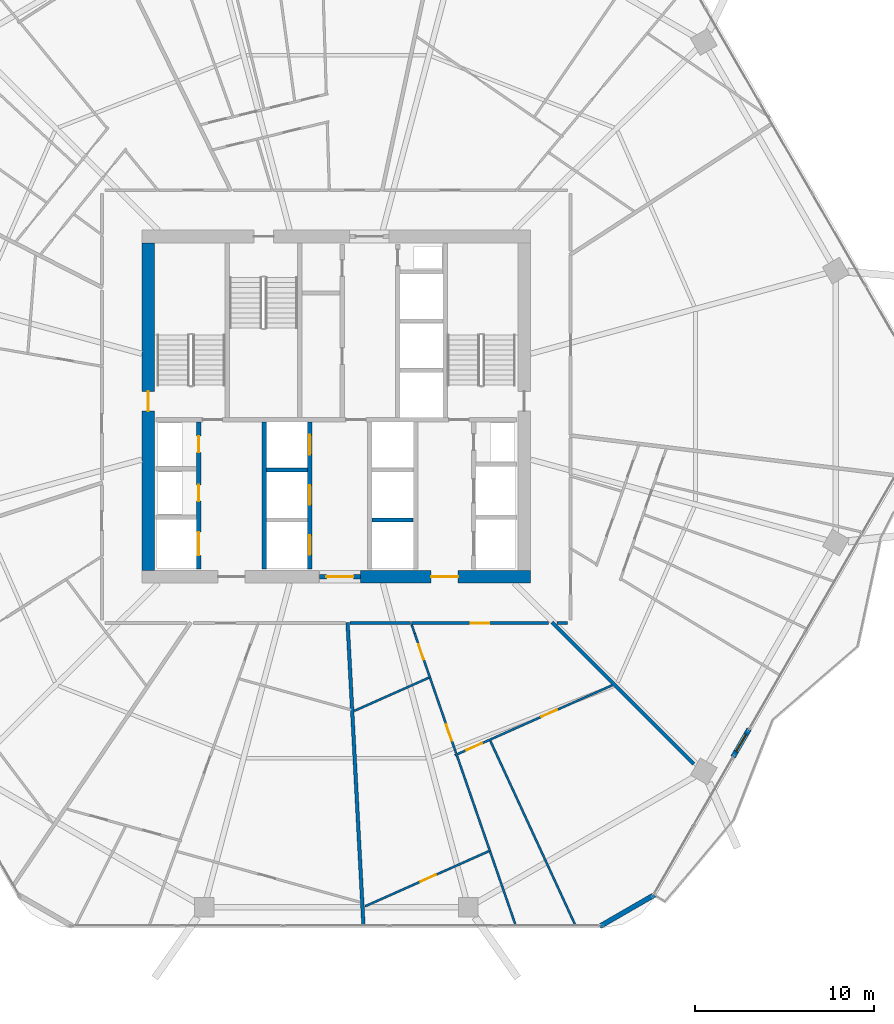
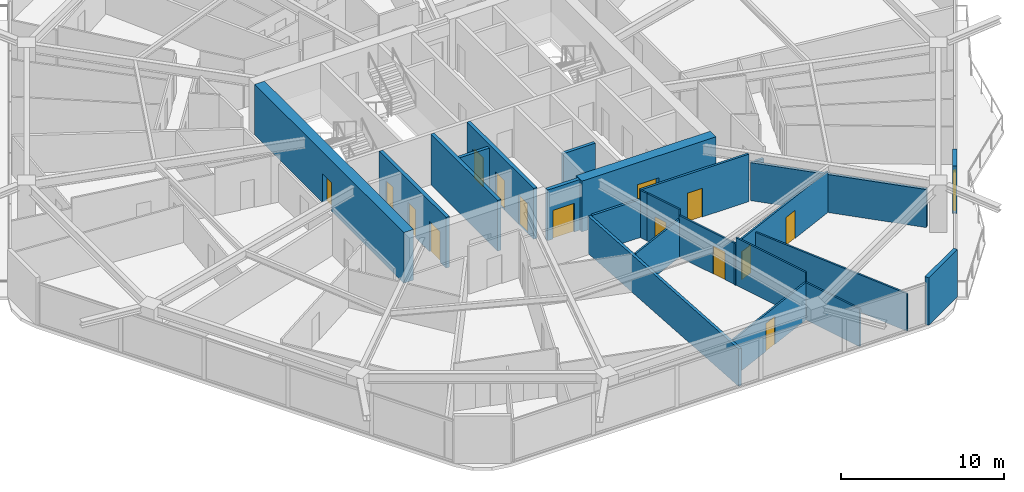
# One storey, part 24 of 32: 24 walls, 16 doors, 16 openings.
"""IFC4 building model written with IfcOpenShell, lengths in metres."""

from ifc_helpers import new_model, si_unit, direction, frame, frame_2d, origin, place, context, subcontext, project, spatial, rectangle, extrude, material, layer, layer_set, type_object, element, fill, save


model = new_model("IFC4")

# Units and contexts
model_context = context("Model", 3, precision=1e-05, world=origin(), true_north=direction((0.0, 1.0)))
body_context = subcontext(model_context, "Body", "Model", "MODEL_VIEW")
ifc_project = project(units=[si_unit("LENGTHUNIT", "METRE"), si_unit("AREAUNIT", "SQUARE_METRE"), si_unit("VOLUMEUNIT", "CUBIC_METRE"), si_unit("PLANEANGLEUNIT", "RADIAN"), si_unit("MASSUNIT", "GRAM", prefix="KILO")], contexts=[model_context])

# Site, building, storey
site_placement = place(None, origin())
site = spatial("IfcSite", under=ifc_project, at=site_placement, CompositionType="ELEMENT")
building_placement = place(site_placement, origin())
building = spatial("IfcBuilding", under=site, at=building_placement, Name="Zuhravey Tower", CompositionType="ELEMENT")
storey_placement = place(building_placement, frame((0.0, 0.0, 119.0)))
storey = spatial("IfcBuildingStorey", under=building, at=storey_placement, Name="L29", CompositionType="ELEMENT", Elevation=119.0)

# Wall, opening, door
ifc_material_1 = material(Name="Concrete C60/75", Category="concrete")
ifc_layer_1 = layer(ifc_material_1, 0.699951171875)
ifc_layer_set_1 = layer_set([ifc_layer_1], Name="Concrete C60/75")
wall_type_1 = type_object("IfcWallType", Name="Core Shear Wall 700", PredefinedType="SHEAR", material=ifc_layer_set_1)
wall_1_placement = place(storey_placement, frame((37.35009765625, 22.5, 0.0), z_axis=(0.0, 0.0, 1.0), x_axis=(1.0, 0.0, 0.0)))
wall_1 = element("IfcWall", 1, at=wall_1_placement, inside=storey, type_object=wall_type_1, Name="L29 South-East Core Shear Wall CW70", PredefinedType="SHEAR", context=body_context, shape_type="SweptSolid", body=[
    extrude(rectangle(XDim=9.5, YDim=0.699951171875, at=frame_2d((4.75, 0.0))), origin(), (0.0, 0.0, 1.0), 3.800048828125),
])
opening_1_placement = place(wall_1_placement, frame((3.949951171875, 0.0, 0.0)))
opening_1 = element("IfcOpeningElement", 2, at=opening_1_placement, cuts=wall_1, Name="Opening FFD1", PredefinedType="OPENING", context=body_context, shape_type="SweptSolid", body=[
    extrude(rectangle(XDim=1.5, YDim=2.14990234375, at=frame_2d((0.75, 1.074951171875))), frame((0.0, 0.362060546875, 0.0), z_axis=(0.0, -1.0, 0.0), x_axis=(1.0, 0.0, 0.0)), (0.0, 0.0, 1.0), 0.723876953125),
])
ifc_material_2 = material(Name="Galvanised fire-rated steel leaf", Category="steel")
door_type_1 = type_object("IfcDoorType", Name="Firefighting Lobby Double Door 1500x2150", OperationType="DOUBLE_DOOR_SINGLE_SWING", PredefinedType="DOOR", material=ifc_material_2)
door_1_placement = place(opening_1_placement, origin())
door_1 = element("IfcDoor", 3, at=door_1_placement, inside=storey, type_object=door_type_1, Name="L29 Firefighting Lobby East Door", OperationType="DOUBLE_DOOR_SINGLE_SWING", OverallHeight=2.14990234375, OverallWidth=1.5, PredefinedType="DOOR", context=body_context, shape_type="SweptSolid", body=[
    extrude(rectangle(XDim=1.5, YDim=2.14990234375, at=frame_2d((0.75, 1.074951171875))), frame((0.0, 0.02490234375, 0.0), z_axis=(0.0, -1.0, 0.0), x_axis=(1.0, 0.0, 0.0)), (0.0, 0.0, 1.0), 0.050048828125),
])
fill(opening_1, door_1)

wall_2_placement = place(storey_placement, frame((25.5, 22.85009765625, 0.0), z_axis=(0.0, 0.0, 1.0), x_axis=(0.0, 1.0, 0.0)))
wall_2 = element("IfcWall", 4, at=wall_2_placement, inside=storey, type_object=wall_type_1, Name="L29 West Core Shear Wall CW70", PredefinedType="SHEAR", context=body_context, shape_type="SweptSolid", body=[
    extrude(rectangle(XDim=18.2998046875, YDim=0.699951171875, at=frame_2d((9.14990234375, 0.0))), origin(), (0.0, 0.0, 1.0), 3.800048828125),
])
opening_2_placement = place(wall_2_placement, frame((8.89990234375, 0.0, 0.0)))
opening_2 = element("IfcOpeningElement", 5, at=opening_2_placement, cuts=wall_2, Name="Opening STD1", PredefinedType="OPENING", context=body_context, shape_type="SweptSolid", body=[
    extrude(rectangle(XDim=1.10009765625, YDim=2.14990234375, at=frame_2d((0.550048828125, 1.074951171875))), frame((0.0, 0.362060546875, 0.0), z_axis=(0.0, -1.0, 0.0), x_axis=(1.0, 0.0, 0.0)), (0.0, 0.0, 1.0), 0.723876953125),
])
door_type_2 = type_object("IfcDoorType", Name="Protected Stair Fire Door 1100x2150", OperationType="NOTDEFINED", PredefinedType="USERDEFINED", material=ifc_material_2)
door_2_placement = place(opening_2_placement, frame((1.10009765625, 0.0, 0.0), z_axis=(0.0, 0.0, 1.0), x_axis=(-1.0, 0.0, 0.0)))
door_2 = element("IfcDoor", 6, at=door_2_placement, inside=storey, type_object=door_type_2, Name="L29 Stair ST1 Door", ObjectType="EXITDOOR", OperationType="SINGLE_SWING_LEFT", OverallHeight=2.14990234375, OverallWidth=1.10009765625, PredefinedType="USERDEFINED", context=body_context, shape_type="SweptSolid", body=[
    extrude(rectangle(XDim=1.10009765625, YDim=2.14990234375, at=frame_2d((0.550048828125, 1.074951171875))), frame((0.0, 0.02490234375, 0.0), z_axis=(0.0, -1.0, 0.0), x_axis=(1.0, 0.0, 0.0)), (0.0, 0.0, 1.0), 0.050048828125),
])
fill(opening_2, door_2)

ifc_material_3 = material(Name="Gypsum fire-rated stud partition")
ifc_layer_2 = layer(ifc_material_3, 0.159912109375)
ifc_layer_set_2 = layer_set([ifc_layer_2], Name="Gypsum fire-rated stud partition")
wall_type_2 = type_object("IfcWallType", Name="Corridor Fire Partition 160", PredefinedType="PARTITIONING", material=ifc_layer_set_2)
wall_3_placement = place(storey_placement, frame((40.199462890625, 19.919921875, 0.0), z_axis=(0.0, 0.0, 1.0), x_axis=(1.0, 0.0, 0.0)))
wall_3 = element("IfcWall", 7, at=wall_3_placement, inside=storey, type_object=wall_type_2, Name="L29 IW16 Partition 054", PredefinedType="PARTITIONING", context=body_context, shape_type="SweptSolid", body=[
    extrude(rectangle(XDim=7.6435546875, YDim=0.159912109375, at=frame_2d((3.82177734375, 0.0))), origin(), (0.0, 0.0, 1.0), 3.550048828125),
])
opening_3_placement = place(wall_3_placement, frame((3.296630859375, 0.0, 0.0)))
opening_3 = element("IfcOpeningElement", 8, at=opening_3_placement, cuts=wall_3, Name="Opening APD1", PredefinedType="OPENING", context=body_context, shape_type="SweptSolid", body=[
    extrude(rectangle(XDim=1.050048828125, YDim=2.14990234375, at=frame_2d((0.52490234375, 1.074951171875))), frame((0.0, 0.092041015625, 0.0), z_axis=(0.0, -1.0, 0.0), x_axis=(1.0, 0.0, 0.0)), (0.0, 0.0, 1.0), 0.183837890625),
])
ifc_material_4 = material(Name="Solid-core oak fire-rated leaf")
door_type_3 = type_object("IfcDoorType", Name="Apartment Entrance Fire Door 1050x2150", OperationType="NOTDEFINED", PredefinedType="DOOR", material=ifc_material_4)
door_3_placement = place(opening_3_placement, frame((1.050048828125, 0.0, 0.0), z_axis=(0.0, 0.0, 1.0), x_axis=(-1.0, 0.0, 0.0)))
door_3 = element("IfcDoor", 9, at=door_3_placement, inside=storey, type_object=door_type_3, Name="L29 Door 054.1", OperationType="SINGLE_SWING_LEFT", OverallHeight=2.14990234375, OverallWidth=1.050048828125, PredefinedType="DOOR", context=body_context, shape_type="SweptSolid", body=[
    extrude(rectangle(XDim=1.050048828125, YDim=2.14990234375, at=frame_2d((0.52490234375, 1.074951171875))), frame((0.0, 0.02490234375, 0.0), z_axis=(0.0, -1.0, 0.0), x_axis=(1.0, 0.0, 0.0)), (0.0, 0.0, 1.0), 0.050048828125),
])
fill(opening_3, door_3)

# Walls
wall_4_placement = place(storey_placement, frame((36.7587890625, 19.919921875, 0.0), z_axis=(0.0, 0.0, 1.0), x_axis=(1.0, 0.0, 0.0)))
element("IfcWall", 10, at=wall_4_placement, inside=storey, type_object=wall_type_2, Name="L29 IW16 Partition 125", PredefinedType="PARTITIONING", context=body_context, shape_type="SweptSolid", body=[
    extrude(rectangle(XDim=3.3984375, YDim=0.159912109375, at=frame_2d((1.69921875, 0.0))), origin(), (0.0, 0.0, 1.0), 2.85009765625),
])
wall_5_placement = place(storey_placement, frame((48.3212890625, 19.919921875, 0.0), z_axis=(0.0, 0.0, 1.0), x_axis=(1.0, 0.0, 0.0)))
element("IfcWall", 11, at=wall_5_placement, inside=storey, type_object=wall_type_2, Name="L29 IW16 Partition 126", PredefinedType="PARTITIONING", context=body_context, shape_type="SweptSolid", body=[
    extrude(rectangle(XDim=0.578125, YDim=0.159912109375, at=frame_2d((0.2890625, 0.0))), origin(), (0.0, 0.0, 1.0), 2.85009765625),
])

# Wall, opening, door
ifc_material_5 = material(Name="Precast concrete C40/50", Category="concrete")
ifc_layer_3 = layer(ifc_material_5, 0.280029296875)
ifc_layer_set_3 = layer_set([ifc_layer_3], Name="Precast concrete C40/50")
wall_type_3 = type_object("IfcWallType", Name="Crown Architectural Wall 280", PredefinedType="SOLIDWALL", material=ifc_layer_set_3)
wall_6_placement = place(storey_placement, frame((59.04638671875, 14.00048828125, 0.0), z_axis=(0.0, 0.0, 1.0), x_axis=(-0.499982180423, -0.866035691677, 0.0)))
wall_6 = element("IfcWall", 12, at=wall_6_placement, inside=storey, type_object=wall_type_3, Name="L29 Face 6 Facade Pier EW28-1", PredefinedType="SOLIDWALL", context=body_context, shape_type="SweptSolid", body=[
    extrude(rectangle(XDim=1.7900390625, YDim=0.280029296875, at=frame_2d((0.89501953125, 0.0))), origin(), (0.0, 0.0, 1.0), 3.550048828125),
])
opening_4_placement = place(wall_6_placement, frame((0.344970703125, 0.0, 0.0)))
opening_4 = element("IfcOpeningElement", 13, at=opening_4_placement, cuts=wall_6, Name="Opening BLD1", PredefinedType="OPENING", context=body_context, shape_type="SweptSolid", body=[
    extrude(rectangle(XDim=1.10009765625, YDim=2.199951171875, at=frame_2d((0.550048828125, 1.10009765625))), frame((0.0, 0.152099609375, 0.0), z_axis=(0.0, -1.0, 0.0), x_axis=(1.0, 0.0, 0.0)), (0.0, 0.0, 1.0), 0.303955078125),
])
ifc_material_6 = material(Name="Thermally broken aluminium and low-E glass", Category="aluminium")
door_type_4 = type_object("IfcDoorType", Name="Balcony & Sky-Tray Glazed Door 1100x2200", OperationType="NOTDEFINED", PredefinedType="DOOR", material=ifc_material_6)
door_4_placement = place(opening_4_placement, frame((1.10009765625, 0.0, 0.0), z_axis=(0.0, 0.0, 1.0), x_axis=(-1.0, 0.0, 0.0)))
door_4 = element("IfcDoor", 14, at=door_4_placement, inside=storey, type_object=door_type_4, Name="L29 Face 6 Wave Balcony Door", OperationType="SINGLE_SWING_LEFT", OverallHeight=2.199951171875, OverallWidth=1.10009765625, PredefinedType="DOOR", context=body_context, shape_type="SweptSolid", body=[
    extrude(rectangle(XDim=1.10009765625, YDim=2.199951171875, at=frame_2d((0.550048828125, 1.10009765625))), frame((0.0, 0.02490234375, 0.0), z_axis=(0.0, -1.0, 0.0), x_axis=(1.0, 0.0, 0.0)), (0.0, 0.0, 1.0), 0.050048828125),
])
fill(opening_4, door_4)

# Wall
wall_7_placement = place(storey_placement, frame((53.76123046875, 4.75146484375, 0.0), z_axis=(0.0, 0.0, 1.0), x_axis=(-0.866007452331, -0.500031091541, 0.0)))
element("IfcWall", 15, at=wall_7_placement, inside=storey, type_object=wall_type_3, Name="L29 Rounded Corner Closure Wall EW28-02", PredefinedType="SOLIDWALL", context=body_context, shape_type="SweptSolid", body=[
    extrude(rectangle(XDim=3.514892578125, YDim=0.280029296875, at=frame_2d((1.75732421875, 0.0))), origin(), (0.0, 0.0, 1.0), 3.550048828125),
])

# Wall, opening, door
ifc_material_7 = material(Name="Concrete C50/60", Category="concrete")
ifc_layer_4 = layer(ifc_material_7, 0.25)
ifc_layer_set_4 = layer_set([ifc_layer_4], Name="Concrete C50/60")
wall_type_4 = type_object("IfcWallType", Name="Firefighting Shaft & Stair Wall 250", PredefinedType="SOLIDWALL", material=ifc_layer_set_4)
wall_8_placement = place(storey_placement, frame((35.06005859375, 22.5, 0.0), z_axis=(0.0, 0.0, 1.0), x_axis=(1.0, 0.0, 0.0)))
wall_8 = element("IfcWall", 16, at=wall_8_placement, inside=storey, type_object=wall_type_4, Name="L29 FW25 Shaft Wall 001", PredefinedType="SOLIDWALL", context=body_context, shape_type="SweptSolid", body=[
    extrude(rectangle(XDim=2.280029296875, YDim=0.25, at=frame_2d((1.14013671875, 0.0))), origin(), (0.0, 0.0, 1.0), 3.800048828125),
])
opening_5_placement = place(wall_8_placement, frame((0.389892578125, 0.0, 0.0)))
opening_5 = element("IfcOpeningElement", 17, at=opening_5_placement, cuts=wall_8, Name="Opening FFD1", PredefinedType="OPENING", context=body_context, shape_type="SweptSolid", body=[
    extrude(rectangle(XDim=1.5, YDim=2.14990234375, at=frame_2d((0.75, 1.074951171875))), frame((0.0, 0.136962890625, 0.0), z_axis=(0.0, -1.0, 0.0), x_axis=(1.0, 0.0, 0.0)), (0.0, 0.0, 1.0), 0.27392578125),
])
door_5_placement = place(opening_5_placement, frame((1.5, 0.0, 0.0), z_axis=(0.0, 0.0, 1.0), x_axis=(-1.0, 0.0, 0.0)))
door_5 = element("IfcDoor", 18, at=door_5_placement, inside=storey, type_object=door_type_1, Name="L29 South Lift Lobby Exit Door", OperationType="DOUBLE_DOOR_SINGLE_SWING", OverallHeight=2.14990234375, OverallWidth=1.5, PredefinedType="DOOR", context=body_context, shape_type="SweptSolid", body=[
    extrude(rectangle(XDim=1.5, YDim=2.14990234375, at=frame_2d((0.75, 1.074951171875))), frame((0.0, 0.02490234375, 0.0), z_axis=(0.0, -1.0, 0.0), x_axis=(1.0, 0.0, 0.0)), (0.0, 0.0, 1.0), 0.050048828125),
])
fill(opening_5, door_5)

# Wall, openings, doors
wall_9_placement = place(storey_placement, frame((28.324951171875, 22.949951171875, 0.0), z_axis=(0.0, 0.0, 1.0), x_axis=(0.0, 1.0, 0.0)))
wall_9 = element("IfcWall", 19, at=wall_9_placement, inside=storey, type_object=wall_type_4, Name="L29 FW25 Shaft Wall 011", PredefinedType="SOLIDWALL", context=body_context, shape_type="SweptSolid", body=[
    extrude(rectangle(XDim=8.199951171875, YDim=0.25, at=frame_2d((4.10009765625, 0.0))), origin(), (0.0, 0.0, 1.0), 3.800048828125),
])
opening_6_placement = place(wall_9_placement, frame((0.75, 0.0, 0.0)))
opening_6 = element("IfcOpeningElement", 20, at=opening_6_placement, cuts=wall_9, Name="Opening LD2", PredefinedType="OPENING", context=body_context, shape_type="SweptSolid", body=[
    extrude(rectangle(XDim=1.300048828125, YDim=2.300048828125, at=frame_2d((0.64990234375, 1.14990234375))), frame((0.0, 0.136962890625, 0.0), z_axis=(0.0, -1.0, 0.0), x_axis=(1.0, 0.0, 0.0)), (0.0, 0.0, 1.0), 0.27392578125),
])
opening_7_placement = place(wall_9_placement, frame((3.780029296875, 0.0, 0.0)))
opening_7 = element("IfcOpeningElement", 21, at=opening_7_placement, cuts=wall_9, Name="Opening RSD1", PredefinedType="OPENING", context=body_context, shape_type="SweptSolid", body=[
    extrude(rectangle(XDim=0.89990234375, YDim=2.10009765625, at=frame_2d((0.449951171875, 1.050048828125))), frame((0.0, 0.136962890625, 0.0), z_axis=(0.0, -1.0, 0.0), x_axis=(1.0, 0.0, 0.0)), (0.0, 0.0, 1.0), 0.27392578125),
])
opening_8_placement = place(wall_9_placement, frame((6.5, 0.0, 0.0)))
opening_8 = element("IfcOpeningElement", 22, at=opening_8_placement, cuts=wall_9, Name="Opening RSD1", PredefinedType="OPENING", context=body_context, shape_type="SweptSolid", body=[
    extrude(rectangle(XDim=0.89990234375, YDim=2.10009765625, at=frame_2d((0.449951171875, 1.050048828125))), frame((0.0, 0.136962890625, 0.0), z_axis=(0.0, -1.0, 0.0), x_axis=(1.0, 0.0, 0.0)), (0.0, 0.0, 1.0), 0.27392578125),
])
ifc_material_8 = material(Name="Brushed stainless steel", Category="steel")
door_type_5 = type_object("IfcDoorType", Name="Freight & Stretcher Lift Sliding Door 1300x2300", OperationType="DOUBLE_DOOR_SLIDING", PredefinedType="DOOR", material=ifc_material_8)
door_6_placement = place(opening_6_placement, frame((1.300048828125, 0.0, 0.0), z_axis=(0.0, 0.0, 1.0), x_axis=(-1.0, 0.0, 0.0)))
door_6 = element("IfcDoor", 23, at=door_6_placement, inside=storey, type_object=door_type_5, Name="L29 Lift FF1 Landing Door", OperationType="DOUBLE_DOOR_SLIDING", OverallHeight=2.300048828125, OverallWidth=1.300048828125, PredefinedType="DOOR", context=body_context, shape_type="SweptSolid", body=[
    extrude(rectangle(XDim=1.300048828125, YDim=2.300048828125, at=frame_2d((0.64990234375, 1.14990234375))), frame((0.0, 0.02490234375, 0.0), z_axis=(0.0, -1.0, 0.0), x_axis=(1.0, 0.0, 0.0)), (0.0, 0.0, 1.0), 0.050048828125),
])
fill(opening_6, door_6)
ifc_material_9 = material(Name="Galvanised fire-rated steel access leaf", Category="steel")
door_type_6 = type_object("IfcDoorType", Name="Riser & Shaft Access Fire Door 900x2100", OperationType="NOTDEFINED", PredefinedType="DOOR", material=ifc_material_9)
door_7_placement = place(opening_7_placement, frame((0.89990234375, 0.0, 0.0), z_axis=(0.0, 0.0, 1.0), x_axis=(-1.0, 0.0, 0.0)))
door_7 = element("IfcDoor", 24, at=door_7_placement, inside=storey, type_object=door_type_6, Name="L29 Electrical Riser Door", OperationType="SINGLE_SWING_RIGHT", OverallHeight=2.10009765625, OverallWidth=0.89990234375, PredefinedType="DOOR", context=body_context, shape_type="SweptSolid", body=[
    extrude(rectangle(XDim=0.89990234375, YDim=2.10009765625, at=frame_2d((0.449951171875, 1.050048828125))), frame((0.0, 0.02490234375, 0.0), z_axis=(0.0, -1.0, 0.0), x_axis=(1.0, 0.0, 0.0)), (0.0, 0.0, 1.0), 0.050048828125),
])
fill(opening_7, door_7)
door_8_placement = place(opening_8_placement, frame((0.89990234375, 0.0, 0.0), z_axis=(0.0, 0.0, 1.0), x_axis=(-1.0, 0.0, 0.0)))
door_8 = element("IfcDoor", 25, at=door_8_placement, inside=storey, type_object=door_type_6, Name="L29 Smoke Shaft Access Door", OperationType="SINGLE_SWING_LEFT", OverallHeight=2.10009765625, OverallWidth=0.89990234375, PredefinedType="DOOR", context=body_context, shape_type="SweptSolid", body=[
    extrude(rectangle(XDim=0.89990234375, YDim=2.10009765625, at=frame_2d((0.449951171875, 1.050048828125))), frame((0.0, 0.02490234375, 0.0), z_axis=(0.0, -1.0, 0.0), x_axis=(1.0, 0.0, 0.0)), (0.0, 0.0, 1.0), 0.050048828125),
])
fill(opening_8, door_8)

# Wall
wall_10_placement = place(storey_placement, frame((31.97509765625, 22.949951171875, 0.0), z_axis=(0.0, 0.0, 1.0), x_axis=(0.0, 1.0, 0.0)))
element("IfcWall", 26, at=wall_10_placement, inside=storey, type_object=wall_type_4, Name="L29 FW25 Shaft Wall 012", PredefinedType="SOLIDWALL", context=body_context, shape_type="SweptSolid", body=[
    extrude(rectangle(XDim=8.199951171875, YDim=0.25, at=frame_2d((4.10009765625, 0.0))), origin(), (0.0, 0.0, 1.0), 3.800048828125),
])

# Wall, openings, doors
wall_11_placement = place(storey_placement, frame((34.52490234375, 22.949951171875, 0.0), z_axis=(0.0, 0.0, 1.0), x_axis=(0.0, 1.0, 0.0)))
wall_11 = element("IfcWall", 27, at=wall_11_placement, inside=storey, type_object=wall_type_4, Name="L29 FW25 Shaft Wall 013", PredefinedType="SOLIDWALL", context=body_context, shape_type="SweptSolid", body=[
    extrude(rectangle(XDim=8.199951171875, YDim=0.25, at=frame_2d((4.10009765625, 0.0))), origin(), (0.0, 0.0, 1.0), 3.800048828125),
])
opening_9_placement = place(wall_11_placement, frame((0.77490234375, 0.0, 0.0)))
opening_9 = element("IfcOpeningElement", 28, at=opening_9_placement, cuts=wall_11, Name="Opening LD1", PredefinedType="OPENING", context=body_context, shape_type="SweptSolid", body=[
    extrude(rectangle(XDim=1.10009765625, YDim=2.199951171875, at=frame_2d((0.550048828125, 1.10009765625))), frame((0.0, 0.136962890625, 0.0), z_axis=(0.0, -1.0, 0.0), x_axis=(1.0, 0.0, 0.0)), (0.0, 0.0, 1.0), 0.27392578125),
])
opening_10_placement = place(wall_11_placement, frame((3.574951171875, 0.0, 0.0)))
opening_10 = element("IfcOpeningElement", 29, at=opening_10_placement, cuts=wall_11, Name="Opening LD1", PredefinedType="OPENING", context=body_context, shape_type="SweptSolid", body=[
    extrude(rectangle(XDim=1.10009765625, YDim=2.199951171875, at=frame_2d((0.550048828125, 1.10009765625))), frame((0.0, 0.136962890625, 0.0), z_axis=(0.0, -1.0, 0.0), x_axis=(1.0, 0.0, 0.0)), (0.0, 0.0, 1.0), 0.27392578125),
])
opening_11_placement = place(wall_11_placement, frame((6.375, 0.0, 0.0)))
opening_11 = element("IfcOpeningElement", 30, at=opening_11_placement, cuts=wall_11, Name="Opening LD1", PredefinedType="OPENING", context=body_context, shape_type="SweptSolid", body=[
    extrude(rectangle(XDim=1.10009765625, YDim=2.199951171875, at=frame_2d((0.550048828125, 1.10009765625))), frame((0.0, 0.136962890625, 0.0), z_axis=(0.0, -1.0, 0.0), x_axis=(1.0, 0.0, 0.0)), (0.0, 0.0, 1.0), 0.27392578125),
])
door_type_7 = type_object("IfcDoorType", Name="Lift Landing Sliding Door 1100x2200", OperationType="DOUBLE_DOOR_SLIDING", PredefinedType="DOOR", material=ifc_material_8)
door_9_placement = place(opening_9_placement, frame((1.10009765625, 0.0, 0.0), z_axis=(0.0, 0.0, 1.0), x_axis=(-1.0, 0.0, 0.0)))
door_9 = element("IfcDoor", 31, at=door_9_placement, inside=storey, type_object=door_type_7, Name="L29 Lift PL1 Landing Door", OperationType="DOUBLE_DOOR_SLIDING", OverallHeight=2.199951171875, OverallWidth=1.10009765625, PredefinedType="DOOR", context=body_context, shape_type="SweptSolid", body=[
    extrude(rectangle(XDim=1.10009765625, YDim=2.199951171875, at=frame_2d((0.550048828125, 1.10009765625))), frame((0.0, 0.02490234375, 0.0), z_axis=(0.0, -1.0, 0.0), x_axis=(1.0, 0.0, 0.0)), (0.0, 0.0, 1.0), 0.050048828125),
])
fill(opening_9, door_9)
door_10_placement = place(opening_10_placement, frame((1.10009765625, 0.0, 0.0), z_axis=(0.0, 0.0, 1.0), x_axis=(-1.0, 0.0, 0.0)))
door_10 = element("IfcDoor", 32, at=door_10_placement, inside=storey, type_object=door_type_7, Name="L29 Lift PL2 Landing Door", OperationType="DOUBLE_DOOR_SLIDING", OverallHeight=2.199951171875, OverallWidth=1.10009765625, PredefinedType="DOOR", context=body_context, shape_type="SweptSolid", body=[
    extrude(rectangle(XDim=1.10009765625, YDim=2.199951171875, at=frame_2d((0.550048828125, 1.10009765625))), frame((0.0, 0.02490234375, 0.0), z_axis=(0.0, -1.0, 0.0), x_axis=(1.0, 0.0, 0.0)), (0.0, 0.0, 1.0), 0.050048828125),
])
fill(opening_10, door_10)
door_11_placement = place(opening_11_placement, frame((1.10009765625, 0.0, 0.0), z_axis=(0.0, 0.0, 1.0), x_axis=(-1.0, 0.0, 0.0)))
door_11 = element("IfcDoor", 33, at=door_11_placement, inside=storey, type_object=door_type_7, Name="L29 Lift PL3 Landing Door", OperationType="DOUBLE_DOOR_SLIDING", OverallHeight=2.199951171875, OverallWidth=1.10009765625, PredefinedType="DOOR", context=body_context, shape_type="SweptSolid", body=[
    extrude(rectangle(XDim=1.10009765625, YDim=2.199951171875, at=frame_2d((0.550048828125, 1.10009765625))), frame((0.0, 0.02490234375, 0.0), z_axis=(0.0, -1.0, 0.0), x_axis=(1.0, 0.0, 0.0)), (0.0, 0.0, 1.0), 0.050048828125),
])
fill(opening_11, door_11)

# Walls
ifc_material_10 = material(Name="Gypsum double-stud party assembly")
ifc_layer_5 = layer(ifc_material_10, 0.199951171875)
ifc_layer_set_5 = layer_set([ifc_layer_5], Name="Gypsum double-stud party assembly")
wall_type_5 = type_object("IfcWallType", Name="Inter-Tenancy Party Wall 200", PredefinedType="PARTITIONING", material=ifc_layer_set_5)
wall_12_placement = place(storey_placement, frame((36.631103515625, 19.9599609375, 0.0), z_axis=(0.0, 0.0, 1.0), x_axis=(0.052325116212, -0.998630102798, 0.0)))
element("IfcWall", 34, at=wall_12_placement, inside=storey, type_object=wall_type_5, Name="L29 IW20 Partition 101", PredefinedType="PARTITIONING", context=body_context, shape_type="SweptSolid", body=[
    extrude(rectangle(XDim=16.941650390625, YDim=0.199951171875, at=frame_2d((8.470703125, 0.0))), origin(), (0.0, 0.0, 1.0), 2.800048828125),
])
wall_13_placement = place(storey_placement, frame((48.0400390625, 19.9599609375, 0.0), z_axis=(0.0, 0.0, 1.0), x_axis=(0.707106781187, -0.707106781187, 0.0)))
element("IfcWall", 35, at=wall_13_placement, inside=storey, type_object=wall_type_5, Name="L29 IW20 Partition 106", PredefinedType="PARTITIONING", context=body_context, shape_type="SweptSolid", body=[
    extrude(rectangle(XDim=11.184814453125, YDim=0.199951171875, at=frame_2d((5.59228515625, 0.0))), origin(), (0.0, 0.0, 1.0), 2.85009765625),
])
ifc_material_11 = material(Name="Gypsum acoustic stud assembly")
ifc_layer_6 = layer(ifc_material_11, 0.219970703125)
ifc_layer_set_6 = layer_set([ifc_layer_6], Name="Gypsum acoustic stud assembly")
wall_type_6 = type_object("IfcWallType", Name="School Acoustic Compartment Wall 220", PredefinedType="PARTITIONING", material=ifc_layer_set_6)
wall_14_placement = place(storey_placement, frame((32.10791015625, 28.47509765625, 0.0), z_axis=(0.0, 0.0, 1.0), x_axis=(1.0, 0.0, 0.0)))
element("IfcWall", 36, at=wall_14_placement, inside=storey, type_object=wall_type_6, Name="L29 IW22 Partition 064", PredefinedType="PARTITIONING", context=body_context, shape_type="SweptSolid", body=[
    extrude(rectangle(XDim=2.2841796875, YDim=0.219970703125, at=frame_2d((1.14208984375, 0.0))), origin(), (0.0, 0.0, 1.0), 3.550048828125),
])
wall_15_placement = place(storey_placement, frame((38.008056640625, 25.675048828125, 0.0), z_axis=(0.0, 0.0, 1.0), x_axis=(1.0, 0.0, 0.0)))
element("IfcWall", 37, at=wall_15_placement, inside=storey, type_object=wall_type_6, Name="L29 IW22 Partition 065", PredefinedType="PARTITIONING", context=body_context, shape_type="SweptSolid", body=[
    extrude(rectangle(XDim=2.283935546875, YDim=0.219970703125, at=frame_2d((1.14208984375, 0.0))), origin(), (0.0, 0.0, 1.0), 3.550048828125),
])

# Wall, openings, doors
ifc_material_12 = material(Name="Gypsum metal-stud partition")
ifc_layer_7 = layer(ifc_material_12, 0.1201171875)
ifc_layer_set_7 = layer_set([ifc_layer_7], Name="Gypsum metal-stud partition")
wall_type_7 = type_object("IfcWallType", Name="Unit Internal Partition 120", PredefinedType="PARTITIONING", material=ifc_layer_set_7)
wall_16_placement = place(storey_placement, frame((42.625, 12.54052734375, 0.0), z_axis=(0.0, 0.0, 1.0), x_axis=(0.913542487884, 0.406743313198, 0.0)))
wall_16 = element("IfcWall", 38, at=wall_16_placement, inside=storey, type_object=wall_type_7, Name="L29 IW12 Partition 049", PredefinedType="PARTITIONING", context=body_context, shape_type="SweptSolid", body=[
    extrude(rectangle(XDim=9.62353515625, YDim=0.1201171875, at=frame_2d((4.811767578125, 0.0))), origin(), (0.0, 0.0, 1.0), 3.10009765625),
])
opening_12_placement = place(wall_16_placement, frame((0.710693359375, 0.0, 0.0)))
opening_12 = element("IfcOpeningElement", 39, at=opening_12_placement, cuts=wall_16, Name="Opening IND1", PredefinedType="OPENING", context=body_context, shape_type="SweptSolid", body=[
    extrude(rectangle(XDim=0.949951171875, YDim=2.10009765625, at=frame_2d((0.47509765625, 1.050048828125))), frame((0.0, 0.072021484375, 0.0), z_axis=(0.0, -1.0, 0.0), x_axis=(1.0, 0.0, 0.0)), (0.0, 0.0, 1.0), 0.14404296875),
])
opening_13_placement = place(wall_16_placement, frame((5.282470703125, 0.0, 0.0)))
opening_13 = element("IfcOpeningElement", 40, at=opening_13_placement, cuts=wall_16, Name="Opening IND1", PredefinedType="OPENING", context=body_context, shape_type="SweptSolid", body=[
    extrude(rectangle(XDim=0.949951171875, YDim=2.10009765625, at=frame_2d((0.47509765625, 1.050048828125))), frame((0.0, 0.072021484375, 0.0), z_axis=(0.0, -1.0, 0.0), x_axis=(1.0, 0.0, 0.0)), (0.0, 0.0, 1.0), 0.14404296875),
])
ifc_material_13 = material(Name="Painted engineered timber leaf", Category="wood")
door_type_8 = type_object("IfcDoorType", Name="Internal Room & Bedroom Door 950x2100", OperationType="NOTDEFINED", PredefinedType="DOOR", material=ifc_material_13)
door_12_placement = place(opening_12_placement, frame((0.949951171875, 0.0, 0.0), z_axis=(0.0, 0.0, 1.0), x_axis=(-1.0, 0.0, 0.0)))
door_12 = element("IfcDoor", 41, at=door_12_placement, inside=storey, type_object=door_type_8, Name="Apartment L29-07 Family Study Door", OperationType="SINGLE_SWING_RIGHT", OverallHeight=2.10009765625, OverallWidth=0.949951171875, PredefinedType="DOOR", context=body_context, shape_type="SweptSolid", body=[
    extrude(rectangle(XDim=0.949951171875, YDim=2.10009765625, at=frame_2d((0.47509765625, 1.050048828125))), frame((0.0, 0.02490234375, 0.0), z_axis=(0.0, -1.0, 0.0), x_axis=(1.0, 0.0, 0.0)), (0.0, 0.0, 1.0), 0.050048828125),
])
fill(opening_12, door_12)
door_13_placement = place(opening_13_placement, frame((0.949951171875, 0.0, 0.0), z_axis=(0.0, 0.0, 1.0), x_axis=(-1.0, 0.0, 0.0)))
door_13 = element("IfcDoor", 42, at=door_13_placement, inside=storey, type_object=door_type_8, Name="Apartment L29-07 Dining Room Door", OperationType="SINGLE_SWING_LEFT", OverallHeight=2.10009765625, OverallWidth=0.949951171875, PredefinedType="DOOR", context=body_context, shape_type="SweptSolid", body=[
    extrude(rectangle(XDim=0.949951171875, YDim=2.10009765625, at=frame_2d((0.47509765625, 1.050048828125))), frame((0.0, 0.02490234375, 0.0), z_axis=(0.0, -1.0, 0.0), x_axis=(1.0, 0.0, 0.0)), (0.0, 0.0, 1.0), 0.050048828125),
])
fill(opening_13, door_13)

# Wall, opening, door
wall_17_placement = place(storey_placement, frame((40.37548828125, 19.35009765625, 0.0), z_axis=(0.0, 0.0, 1.0), x_axis=(0.326851488324, -0.945075713676, 0.0)))
wall_17 = element("IfcWall", 43, at=wall_17_placement, inside=storey, type_object=wall_type_7, Name="L29 IW12 Partition 050", PredefinedType="PARTITIONING", context=body_context, shape_type="SweptSolid", body=[
    extrude(rectangle(XDim=2.621826171875, YDim=0.1201171875, at=frame_2d((1.31103515625, 0.0))), origin(), (0.0, 0.0, 1.0), 3.550048828125),
])
opening_14_placement = place(wall_17_placement, frame((0.651123046875, 0.0, 0.0)))
opening_14 = element("IfcOpeningElement", 44, at=opening_14_placement, cuts=wall_17, Name="Opening WCD1", PredefinedType="OPENING", context=body_context, shape_type="SweptSolid", body=[
    extrude(rectangle(XDim=0.89990234375, YDim=2.10009765625, at=frame_2d((0.449951171875, 1.050048828125))), frame((0.0, 0.072021484375, 0.0), z_axis=(0.0, -1.0, 0.0), x_axis=(1.0, 0.0, 0.0)), (0.0, 0.0, 1.0), 0.14404296875),
])
ifc_material_14 = material(Name="Moisture-resistant timber leaf", Category="wood")
door_type_9 = type_object("IfcDoorType", Name="Bathroom & WC Internal Door 900x2100", OperationType="NOTDEFINED", PredefinedType="DOOR", material=ifc_material_14)
door_14_placement = place(opening_14_placement, frame((0.89990234375, 0.0, 0.0), z_axis=(0.0, 0.0, 1.0), x_axis=(-1.0, 0.0, 0.0)))
door_14 = element("IfcDoor", 45, at=door_14_placement, inside=storey, type_object=door_type_9, Name="Apartment L29-07 Bathroom Door", OperationType="SINGLE_SWING_RIGHT", OverallHeight=2.10009765625, OverallWidth=0.89990234375, PredefinedType="DOOR", context=body_context, shape_type="SweptSolid", body=[
    extrude(rectangle(XDim=0.89990234375, YDim=2.10009765625, at=frame_2d((0.449951171875, 1.050048828125))), frame((0.0, 0.02490234375, 0.0), z_axis=(0.0, -1.0, 0.0), x_axis=(1.0, 0.0, 0.0)), (0.0, 0.0, 1.0), 0.050048828125),
])
fill(opening_14, door_14)

wall_18_placement = place(storey_placement, frame((41.232666015625, 16.872314453125, 0.0), z_axis=(0.0, 0.0, 1.0), x_axis=(0.326853664791, -0.945074960949, 0.0)))
wall_18 = element("IfcWall", 46, at=wall_18_placement, inside=storey, type_object=wall_type_7, Name="L29 IW12 Partition 051", PredefinedType="PARTITIONING", context=body_context, shape_type="SweptSolid", body=[
    extrude(rectangle(XDim=4.471923828125, YDim=0.1201171875, at=frame_2d((2.23583984375, 0.0))), origin(), (0.0, 0.0, 1.0), 3.10009765625),
])
opening_15_placement = place(wall_18_placement, frame((2.77001953125, 0.0, 0.0)))
opening_15 = element("IfcOpeningElement", 47, at=opening_15_placement, cuts=wall_18, Name="Opening IND1", PredefinedType="OPENING", context=body_context, shape_type="SweptSolid", body=[
    extrude(rectangle(XDim=0.949951171875, YDim=2.10009765625, at=frame_2d((0.47509765625, 1.050048828125))), frame((0.0, 0.072021484375, 0.0), z_axis=(0.0, -1.0, 0.0), x_axis=(1.0, 0.0, 0.0)), (0.0, 0.0, 1.0), 0.14404296875),
])
door_15_placement = place(opening_15_placement, frame((0.949951171875, 0.0, 0.0), z_axis=(0.0, 0.0, 1.0), x_axis=(-1.0, 0.0, 0.0)))
door_15 = element("IfcDoor", 48, at=door_15_placement, inside=storey, type_object=door_type_8, Name="Apartment L29-07 Home Office Door", OperationType="SINGLE_SWING_LEFT", OverallHeight=2.10009765625, OverallWidth=0.949951171875, PredefinedType="DOOR", context=body_context, shape_type="SweptSolid", body=[
    extrude(rectangle(XDim=0.949951171875, YDim=2.10009765625, at=frame_2d((0.47509765625, 1.050048828125))), frame((0.0, 0.02490234375, 0.0), z_axis=(0.0, -1.0, 0.0), x_axis=(1.0, 0.0, 0.0)), (0.0, 0.0, 1.0), 0.050048828125),
])
fill(opening_15, door_15)

# Wall
wall_19_placement = place(storey_placement, frame((42.739013671875, 12.516845703125, 0.0), z_axis=(0.0, 0.0, 1.0), x_axis=(0.32689789909, -0.945059661382, 0.0)))
element("IfcWall", 49, at=wall_19_placement, inside=storey, type_object=wall_type_7, Name="L29 IW12 Partition 052", PredefinedType="PARTITIONING", context=body_context, shape_type="SweptSolid", body=[
    extrude(rectangle(XDim=5.638671875, YDim=0.1201171875, at=frame_2d((2.8193359375, 0.0))), origin(), (0.0, 0.0, 1.0), 3.550048828125),
])

# Wall, opening, door
wall_20_placement = place(storey_placement, frame((37.605712890625, 4.109375, 0.0), z_axis=(0.0, 0.0, 1.0), x_axis=(0.913547663518, 0.406731688562, 0.0)))
wall_20 = element("IfcWall", 50, at=wall_20_placement, inside=storey, type_object=wall_type_7, Name="L29 IW12 Partition 053", PredefinedType="PARTITIONING", context=body_context, shape_type="SweptSolid", body=[
    extrude(rectangle(XDim=7.5595703125, YDim=0.1201171875, at=frame_2d((3.77978515625, 0.0))), origin(), (0.0, 0.0, 1.0), 2.800048828125),
])
opening_16_placement = place(wall_20_placement, frame((3.38916015625, 0.0, 0.0)))
opening_16 = element("IfcOpeningElement", 51, at=opening_16_placement, cuts=wall_20, Name="Opening IND1", PredefinedType="OPENING", context=body_context, shape_type="SweptSolid", body=[
    extrude(rectangle(XDim=0.949951171875, YDim=2.10009765625, at=frame_2d((0.47509765625, 1.050048828125))), frame((0.0, 0.072021484375, 0.0), z_axis=(0.0, -1.0, 0.0), x_axis=(1.0, 0.0, 0.0)), (0.0, 0.0, 1.0), 0.14404296875),
])
door_16_placement = place(opening_16_placement, frame((0.949951171875, 0.0, 0.0), z_axis=(0.0, 0.0, 1.0), x_axis=(-1.0, 0.0, 0.0)))
door_16 = element("IfcDoor", 52, at=door_16_placement, inside=storey, type_object=door_type_8, Name="Apartment L29-07 Bedroom 1 Door", OperationType="SINGLE_SWING_RIGHT", OverallHeight=2.10009765625, OverallWidth=0.949951171875, PredefinedType="DOOR", context=body_context, shape_type="SweptSolid", body=[
    extrude(rectangle(XDim=0.949951171875, YDim=2.10009765625, at=frame_2d((0.47509765625, 1.050048828125))), frame((0.0, 0.02490234375, 0.0), z_axis=(0.0, -1.0, 0.0), x_axis=(1.0, 0.0, 0.0)), (0.0, 0.0, 1.0), 0.050048828125),
])
fill(opening_16, door_16)

# Walls
wall_21_placement = place(storey_placement, frame((44.6005859375, 13.345703125, 0.0), z_axis=(0.0, 0.0, 1.0), x_axis=(0.418713944569, -0.90811818208, 0.0)))
element("IfcWall", 53, at=wall_21_placement, inside=storey, type_object=wall_type_7, Name="L29 IW12 Partition 102", PredefinedType="PARTITIONING", context=body_context, shape_type="SweptSolid", body=[
    extrude(rectangle(XDim=11.3798828125, YDim=0.1201171875, at=frame_2d((5.68994140625, 0.0))), origin(), (0.0, 0.0, 1.0), 2.800048828125),
])
wall_22_placement = place(storey_placement, frame((40.208740234375, 19.83203125, 0.0), z_axis=(0.0, 0.0, 1.0), x_axis=(0.326979018049, -0.945031598284, 0.0)))
element("IfcWall", 54, at=wall_22_placement, inside=storey, type_object=wall_type_7, Name="L29 IW12 Partition 103", PredefinedType="PARTITIONING", context=body_context, shape_type="SweptSolid", body=[
    extrude(rectangle(XDim=0.510009765625, YDim=0.1201171875, at=frame_2d((0.2548828125, 0.0))), origin(), (0.0, 0.0, 1.0), 3.550048828125),
])
wall_23_placement = place(storey_placement, frame((44.582275390625, 7.18798828125, 0.0), z_axis=(0.0, 0.0, 1.0), x_axis=(0.326848948983, -0.945076591896, 0.0)))
element("IfcWall", 55, at=wall_23_placement, inside=storey, type_object=wall_type_7, Name="L29 IW12 Partition 104", PredefinedType="PARTITIONING", context=body_context, shape_type="SweptSolid", body=[
    extrude(rectangle(XDim=4.391357421875, YDim=0.1201171875, at=frame_2d((2.19580078125, 0.0))), origin(), (0.0, 0.0, 1.0), 2.800048828125),
])
wall_24_placement = place(storey_placement, frame((36.998291015625, 15.014404296875, 0.0), z_axis=(0.0, 0.0, 1.0), x_axis=(0.913552925769, 0.406719868975, 0.0)))
element("IfcWall", 56, at=wall_24_placement, inside=storey, type_object=wall_type_7, Name="L29 IW12 Partition 105", PredefinedType="PARTITIONING", context=body_context, shape_type="SweptSolid", body=[
    extrude(rectangle(XDim=4.557861328125, YDim=0.1201171875, at=frame_2d((2.27880859375, 0.0))), origin(), (0.0, 0.0, 1.0), 2.85009765625),
])

save(model, "model.ifc")
